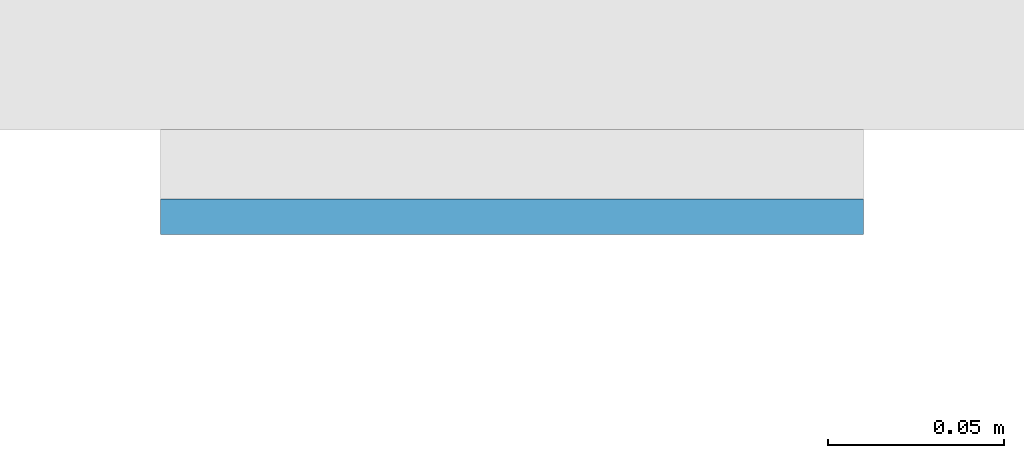
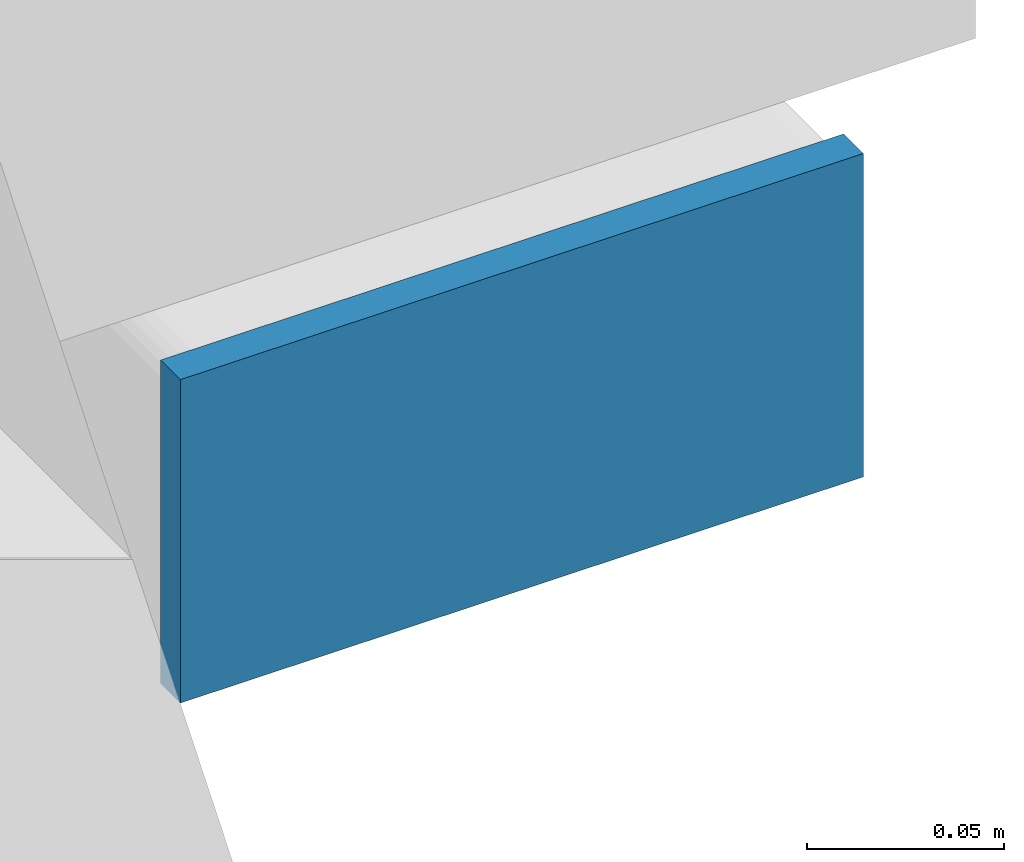
# One storey, part 10 of 20: 1 plate.
"""IFC4 building model written with IfcOpenShell, lengths in metres."""

from ifc_helpers import new_model, si_unit, direction, frame, origin, origin_2d, place, context, subcontext, project, spatial, rectangle, extrude, material, layer, layer_set, type_object, element, save


model = new_model("IFC4")

# Units and contexts
model_context = context("Model", 3, precision=1e-05, world=origin(), true_north=direction((0.0, 1.0)))
body_context = subcontext(model_context, "Body", "Model", "MODEL_VIEW")
ifc_project = project(units=[si_unit("LENGTHUNIT", "METRE"), si_unit("AREAUNIT", "SQUARE_METRE"), si_unit("VOLUMEUNIT", "CUBIC_METRE"), si_unit("PLANEANGLEUNIT", "RADIAN"), si_unit("MASSUNIT", "GRAM", prefix="KILO")], contexts=[model_context])

# Site, building, storey
site_placement = place(None, origin())
site = spatial("IfcSite", under=ifc_project, at=site_placement, CompositionType="ELEMENT")
building_placement = place(site_placement, origin())
building = spatial("IfcBuilding", under=site, at=building_placement, Name="Cleftline Residences", CompositionType="ELEMENT")
storey_placement = place(building_placement, frame((0.0, 0.0, 203.800048828125)))
storey = spatial("IfcBuildingStorey", under=building, at=storey_placement, Name="L53", CompositionType="ELEMENT", Elevation=203.800048828125)

# Plate
ifc_material = material(Name="Steel S355, hot-dip galvanised", Category="steel")
ifc_layer = layer(ifc_material, 0.010009765625)
ifc_layer_set = layer_set([ifc_layer], Name="BAGUETTE CARRIER END PLATE 200X100X10")
plate_type = type_object("IfcPlateType", Name="BAGUETTE CARRIER END PLATE 200X100X10", PredefinedType="USERDEFINED", material=ifc_layer_set)
plate_placement = place(storey_placement, frame((66.85009765625, 3.695068359375, -0.10009765625), z_axis=(0.0, 0.0, 1.0), x_axis=(1.0, 0.0, 0.0)))
element("IfcPlate", 1, at=plate_placement, inside=storey, type_object=plate_type, Name="Baguette carrier end plate", ObjectType="BAGUETTE CARRIER END PLATE", PredefinedType="USERDEFINED", context=body_context, shape_type="SweptSolid", body=[
    extrude(rectangle(XDim=0.199951171875, YDim=0.010009765625, at=origin_2d()), origin(), (0.0, 0.0, 1.0), 0.10009765625),
])

save(model, "model.ifc")
